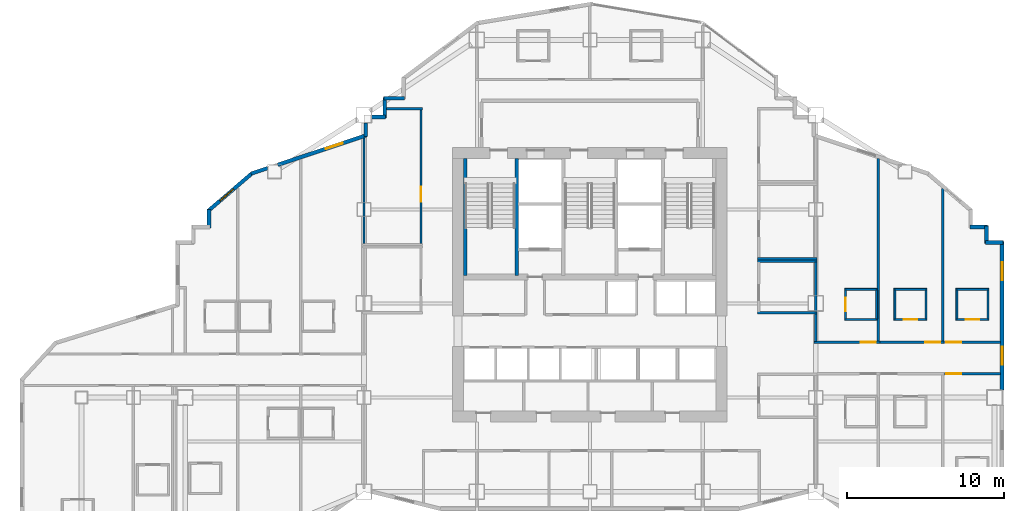
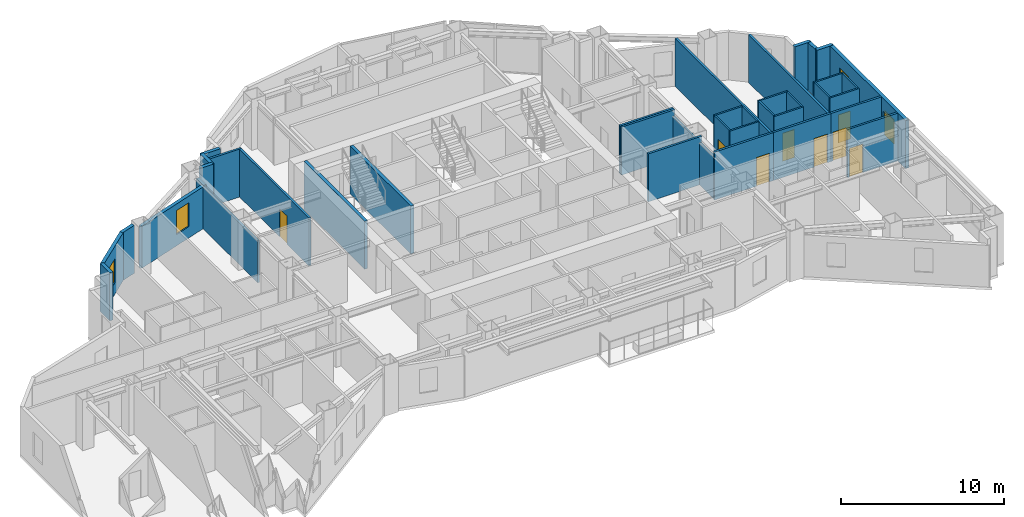
# One storey, part 9 of 13: 40 walls, 8 doors, 4 windows, 12 openings.
"""IFC4 building model written with IfcOpenShell, lengths in metres."""

from ifc_helpers import new_model, si_unit, direction, frame, frame_2d, origin, place, context, subcontext, project, spatial, rectangle, extrude, material, layer, layer_set, type_object, element, fill, save


model = new_model("IFC4")

# Units and contexts
model_context = context("Model", 3, precision=1e-05, world=origin(), true_north=direction((0.0, 1.0)))
body_context = subcontext(model_context, "Body", "Model", "MODEL_VIEW")
ifc_project = project(units=[si_unit("LENGTHUNIT", "METRE"), si_unit("AREAUNIT", "SQUARE_METRE"), si_unit("VOLUMEUNIT", "CUBIC_METRE"), si_unit("PLANEANGLEUNIT", "RADIAN"), si_unit("MASSUNIT", "GRAM", prefix="KILO")], contexts=[model_context])

# Site, building, storey
site_placement = place(None, origin())
site = spatial("IfcSite", under=ifc_project, at=site_placement, CompositionType="ELEMENT")
building_placement = place(site_placement, origin())
building = spatial("IfcBuilding", under=site, at=building_placement, Name="Haolan Belvedere Tower", CompositionType="ELEMENT")
storey_placement = place(building_placement, frame((0.0, 0.0, 117.39990234375)))
storey = spatial("IfcBuildingStorey", under=building, at=storey_placement, Name="L29", CompositionType="ELEMENT", Elevation=117.39990234375)

# Wall, openings, windows
ifc_material_1 = material(Name="Precast concrete C40/50", Category="concrete")
ifc_layer_1 = layer(ifc_material_1, 0.239990234375, Name="Precast concrete C40/50")
ifc_layer_set_1 = layer_set([ifc_layer_1], Name="Precast concrete C40/50")
wall_type_1 = type_object("IfcWallType", Name="WL-EXT-240", PredefinedType="SOLIDWALL", material=ifc_layer_set_1)
wall_1_placement = place(storey_placement, frame((64.679931640625, 28.092041015625, 0.0), z_axis=(0.0, 0.0, 1.0), x_axis=(0.0, 1.0, 0.0)))
wall_1 = element("IfcWall", 1, at=wall_1_placement, inside=storey, type_object=wall_type_1, Name="L29 pale-metal exterior spandrel wall 14.2", PredefinedType="SOLIDWALL", context=body_context, shape_type="SweptSolid", body=[
    extrude(rectangle(XDim=9.44287109375, YDim=0.239990234375, at=frame_2d((4.721435546875, 0.0))), origin(), (0.0, 0.0, 1.0), 3.60009765625),
])
opening_1_placement = place(wall_1_placement, frame((1.60009765625, 0.0, 0.85009765625)))
opening_1 = element("IfcOpeningElement", 2, at=opening_1_placement, cuts=wall_1, Name="Opening W-02", PredefinedType="OPENING", context=body_context, shape_type="SweptSolid", body=[
    extrude(rectangle(XDim=1.14990234375, YDim=1.800048828125, at=frame_2d((0.574951171875, 0.89990234375))), frame((0.0, 0.1298828125, 0.0), z_axis=(0.0, -1.0, 0.0), x_axis=(1.0, 0.0, 0.0)), (0.0, 0.0, 1.0), 0.260009765625),
])
opening_2_placement = place(wall_1_placement, frame((7.0, 0.0, 0.85009765625)))
opening_2 = element("IfcOpeningElement", 3, at=opening_2_placement, cuts=wall_1, Name="Opening W-02", PredefinedType="OPENING", context=body_context, shape_type="SweptSolid", body=[
    extrude(rectangle(XDim=1.14990234375, YDim=1.800048828125, at=frame_2d((0.574951171875, 0.89990234375))), frame((0.0, 0.1298828125, 0.0), z_axis=(0.0, -1.0, 0.0), x_axis=(1.0, 0.0, 0.0)), (0.0, 0.0, 1.0), 0.260009765625),
])
ifc_material_2 = material(Name="Anodised aluminium 6063-T6 and Low-E glass", Category="aluminium")
window_type = type_object("IfcWindowType", Name="WN-DECO-Z2", PartitioningType="SINGLE_PANEL", PredefinedType="WINDOW", material=ifc_material_2)
window_1_placement = place(opening_1_placement, origin())
window_1 = element("IfcWindow", 4, at=window_1_placement, inside=storey, type_object=window_type, Name="L29 Art Deco chevron window 1", OverallHeight=1.800048828125, OverallWidth=1.14990234375, PartitioningType="SINGLE_PANEL", PredefinedType="WINDOW", context=body_context, shape_type="SweptSolid", body=[
    extrude(rectangle(XDim=1.14990234375, YDim=1.800048828125, at=frame_2d((0.574951171875, 0.89990234375))), frame((0.0, 0.030029296875, 0.0), z_axis=(0.0, -1.0, 0.0), x_axis=(1.0, 0.0, 0.0)), (0.0, 0.0, 1.0), 0.06005859375),
])
fill(opening_1, window_1)
window_2_placement = place(opening_2_placement, origin())
window_2 = element("IfcWindow", 5, at=window_2_placement, inside=storey, type_object=window_type, Name="L29 Art Deco chevron window 2", OverallHeight=1.800048828125, OverallWidth=1.14990234375, PartitioningType="SINGLE_PANEL", PredefinedType="WINDOW", context=body_context, shape_type="SweptSolid", body=[
    extrude(rectangle(XDim=1.14990234375, YDim=1.800048828125, at=frame_2d((0.574951171875, 0.89990234375))), frame((0.0, 0.030029296875, 0.0), z_axis=(0.0, -1.0, 0.0), x_axis=(1.0, 0.0, 0.0)), (0.0, 0.0, 1.0), 0.06005859375),
])
fill(opening_2, window_2)

# Walls
wall_2_placement = place(storey_placement, frame((64.735107421875, 37.47998046875, 0.0), z_axis=(0.0, 0.0, 1.0), x_axis=(-1.0, 0.0, 0.0)))
element("IfcWall", 6, at=wall_2_placement, inside=storey, type_object=wall_type_1, Name="L29 pale-metal exterior spandrel wall 15.1", PredefinedType="SOLIDWALL", context=body_context, shape_type="SweptSolid", body=[
    extrude(rectangle(XDim=1.110107421875, YDim=0.239990234375, at=frame_2d((0.55517578125, 0.0))), origin(), (0.0, 0.0, 1.0), 3.60009765625),
])
wall_3_placement = place(storey_placement, frame((63.679931640625, 37.425048828125, 0.0), z_axis=(0.0, 0.0, 1.0), x_axis=(0.0, 1.0, 0.0)))
element("IfcWall", 7, at=wall_3_placement, inside=storey, type_object=wall_type_1, Name="L29 pale-metal exterior spandrel wall 16.1", PredefinedType="SOLIDWALL", context=body_context, shape_type="SweptSolid", body=[
    extrude(rectangle(XDim=1.10986328125, YDim=0.239990234375, at=frame_2d((0.554931640625, 0.0))), origin(), (0.0, 0.0, 1.0), 3.60009765625),
])
wall_4_placement = place(storey_placement, frame((63.735107421875, 38.47998046875, 0.0), z_axis=(0.0, 0.0, 1.0), x_axis=(-1.0, 0.0, 0.0)))
element("IfcWall", 8, at=wall_4_placement, inside=storey, type_object=wall_type_1, Name="L29 pale-metal exterior spandrel wall 17.1", PredefinedType="SOLIDWALL", context=body_context, shape_type="SweptSolid", body=[
    extrude(rectangle(XDim=1.110107421875, YDim=0.239990234375, at=frame_2d((0.55517578125, 0.0))), origin(), (0.0, 0.0, 1.0), 3.60009765625),
])
for number, where, z_axis, x_axis, name in (
    (9, (26.574951171875, 46.679931640625, 0.0), (0.0, 0.0, 1.0), (-1.0, 0.0, 0.0), "L29 pale-metal exterior spandrel wall 31.1"),
    (10, (25.320068359375, 46.735107421875, 0.0), (0.0, 0.0, 1.0), (0.0, -1.0, 0.0), "L29 pale-metal exterior spandrel wall 32.1"),
):
    element("IfcWall", number, at=place(storey_placement, frame(where, z_axis=z_axis, x_axis=x_axis)), inside=storey, type_object=wall_type_1, Name=name, PredefinedType="SOLIDWALL", context=body_context, shape_type="SweptSolid", body=[
        extrude(rectangle(XDim=1.31005859375, YDim=0.239990234375, at=frame_2d((0.655029296875, 0.0))), origin(), (0.0, 0.0, 1.0), 3.60009765625),
    ])
wall_5_placement = place(storey_placement, frame((25.375, 45.47998046875, 0.0), z_axis=(0.0, 0.0, 1.0), x_axis=(-1.0, 0.0, 0.0)))
element("IfcWall", 11, at=wall_5_placement, inside=storey, type_object=wall_type_1, Name="L29 pale-metal exterior spandrel wall 33.1", PredefinedType="SOLIDWALL", context=body_context, shape_type="SweptSolid", body=[
    extrude(rectangle(XDim=0.883056640625, YDim=0.239990234375, at=frame_2d((0.44140625, 0.0))), origin(), (0.0, 0.0, 1.0), 3.60009765625),
])
wall_6_placement = place(storey_placement, frame((24.1201171875, 45.10791015625, 0.0), z_axis=(0.0, 0.0, 1.0), x_axis=(0.0, -1.0, 0.0)))
element("IfcWall", 12, at=wall_6_placement, inside=storey, type_object=wall_type_1, Name="L29 pale-metal exterior spandrel wall 34.1", PredefinedType="SOLIDWALL", context=body_context, shape_type="SweptSolid", body=[
    extrude(rectangle(XDim=0.849365234375, YDim=0.239990234375, at=frame_2d((0.4248046875, 0.0))), origin(), (0.0, 0.0, 1.0), 3.14501953125),
])

# Wall, opening, window
wall_7_placement = place(storey_placement, frame((24.172119140625, 44.330810546875, 0.0), z_axis=(0.0, 0.0, 1.0), x_axis=(-0.948683298051, -0.316227766017, 0.0)))
wall_7 = element("IfcWall", 13, at=wall_7_placement, inside=storey, type_object=wall_type_1, Name="L29 pale-metal exterior spandrel wall 35.1", PredefinedType="SOLIDWALL", context=body_context, shape_type="SweptSolid", body=[
    extrude(rectangle(XDim=5.973388671875, YDim=0.239990234375, at=frame_2d((2.98681640625, 0.0))), origin(), (0.0, 0.0, 1.0), 3.14501953125),
])
opening_3_placement = place(wall_7_placement, frame((1.60009765625, 0.0, 0.85009765625)))
opening_3 = element("IfcOpeningElement", 14, at=opening_3_placement, cuts=wall_7, Name="Opening W-02", PredefinedType="OPENING", context=body_context, shape_type="SweptSolid", body=[
    extrude(rectangle(XDim=1.14990234375, YDim=1.800048828125, at=frame_2d((0.574951171875, 0.89990234375))), frame((0.0, 0.1298828125, 0.0), z_axis=(0.0, -1.0, 0.0), x_axis=(1.0, 0.0, 0.0)), (0.0, 0.0, 1.0), 0.260009765625),
])
window_3_placement = place(opening_3_placement, origin())
window_3 = element("IfcWindow", 15, at=window_3_placement, inside=storey, type_object=window_type, Name="L29 Art Deco chevron window 1", OverallHeight=1.800048828125, OverallWidth=1.14990234375, PartitioningType="SINGLE_PANEL", PredefinedType="WINDOW", context=body_context, shape_type="SweptSolid", body=[
    extrude(rectangle(XDim=1.14990234375, YDim=1.800048828125, at=frame_2d((0.574951171875, 0.89990234375))), frame((0.0, 0.030029296875, 0.0), z_axis=(0.0, -1.0, 0.0), x_axis=(1.0, 0.0, 0.0)), (0.0, 0.0, 1.0), 0.06005859375),
])
fill(opening_3, window_3)

# Wall
wall_8_placement = place(storey_placement, frame((17.85791015625, 42.226318359375, 0.0), z_axis=(0.0, 0.0, 1.0), x_axis=(-0.948639166064, -0.316360131194, 0.0)))
element("IfcWall", 16, at=wall_8_placement, inside=storey, type_object=wall_type_1, Name="L29 pale-metal exterior spandrel wall 35.2", PredefinedType="SOLIDWALL", context=body_context, shape_type="SweptSolid", body=[
    extrude(rectangle(XDim=1.106689453125, YDim=0.239990234375, at=frame_2d((0.55322265625, 0.0))), origin(), (0.0, 0.0, 1.0), 3.60009765625),
])

# Wall, opening, window
wall_9_placement = place(storey_placement, frame((16.902099609375, 41.929443359375, 0.0), z_axis=(0.0, 0.0, 1.0), x_axis=(-0.759275136126, -0.650769750112, 0.0)))
wall_9 = element("IfcWall", 17, at=wall_9_placement, inside=storey, type_object=wall_type_1, Name="L29 pale-metal exterior spandrel wall 36.1", PredefinedType="SOLIDWALL", context=body_context, shape_type="SweptSolid", body=[
    extrude(rectangle(XDim=3.71923828125, YDim=0.239990234375, at=frame_2d((1.859619140625, 0.0))), origin(), (0.0, 0.0, 1.0), 3.60009765625),
])
opening_4_placement = place(wall_9_placement, frame((1.60009765625, 0.0, 0.85009765625)))
opening_4 = element("IfcOpeningElement", 18, at=opening_4_placement, cuts=wall_9, Name="Opening W-02", PredefinedType="OPENING", context=body_context, shape_type="SweptSolid", body=[
    extrude(rectangle(XDim=1.14990234375, YDim=1.800048828125, at=frame_2d((0.574951171875, 0.89990234375))), frame((0.0, 0.1298828125, 0.0), z_axis=(0.0, -1.0, 0.0), x_axis=(1.0, 0.0, 0.0)), (0.0, 0.0, 1.0), 0.260009765625),
])
window_4_placement = place(opening_4_placement, origin())
window_4 = element("IfcWindow", 19, at=window_4_placement, inside=storey, type_object=window_type, Name="L29 Art Deco chevron window 1", OverallHeight=1.800048828125, OverallWidth=1.14990234375, PartitioningType="SINGLE_PANEL", PredefinedType="WINDOW", context=body_context, shape_type="SweptSolid", body=[
    extrude(rectangle(XDim=1.14990234375, YDim=1.800048828125, at=frame_2d((0.574951171875, 0.89990234375))), frame((0.0, 0.030029296875, 0.0), z_axis=(0.0, -1.0, 0.0), x_axis=(1.0, 0.0, 0.0)), (0.0, 0.0, 1.0), 0.06005859375),
])
fill(opening_4, window_4)

# Walls
wall_10_placement = place(storey_placement, frame((14.1201171875, 39.599853515625, 0.0), z_axis=(0.0, 0.0, 1.0), x_axis=(0.0, -1.0, 0.0)))
element("IfcWall", 20, at=wall_10_placement, inside=storey, type_object=wall_type_1, Name="L29 pale-metal exterior spandrel wall 37.1", PredefinedType="SOLIDWALL", context=body_context, shape_type="SweptSolid", body=[
    extrude(rectangle(XDim=1.1748046875, YDim=0.239990234375, at=frame_2d((0.58740234375, 0.0))), origin(), (0.0, 0.0, 1.0), 3.60009765625),
])
ifc_material_3 = material(Name="Double gypsum acoustic stud partition", Category="masonry")
ifc_layer_2 = layer(ifc_material_3, 0.14990234375, Name="Double gypsum acoustic stud partition")
ifc_layer_set_2 = layer_set([ifc_layer_2], Name="Double gypsum acoustic stud partition")
wall_type_2 = type_object("IfcWallType", Name="WL-PART-150", PredefinedType="PARTITIONING", material=ifc_layer_set_2)
wall_11_placement = place(storey_placement, frame((25.425048828125, 46.02001953125, 0.0), z_axis=(0.0, 0.0, 1.0), x_axis=(1.0, 0.0, 0.0)))
element("IfcWall", 21, at=wall_11_placement, inside=storey, type_object=wall_type_2, Name="L29 interior partition IW-L29-MTG-N", PredefinedType="PARTITIONING", context=body_context, shape_type="SweptSolid", body=[
    extrude(rectangle(XDim=2.294921875, YDim=0.14990234375, at=frame_2d((1.1474609375, 0.0))), origin(), (0.0, 0.0, 1.0), 3.60009765625),
])
wall_12_placement = place(storey_placement, frame((24.0, 37.419921875, 0.0), z_axis=(0.0, 0.0, 1.0), x_axis=(0.0, 1.0, 0.0)))
element("IfcWall", 22, at=wall_12_placement, inside=storey, type_object=wall_type_2, Name="L29 interior partition IW-L29-MTG-W", PredefinedType="PARTITIONING", context=body_context, shape_type="SweptSolid", body=[
    extrude(rectangle(XDim=6.742919921875, YDim=0.14990234375, at=frame_2d((3.37158203125, 0.0))), origin(), (0.0, 0.0, 1.0), 3.14501953125),
])

# Wall, opening, door
wall_13_placement = place(storey_placement, frame((27.639892578125, 37.419921875, 0.0), z_axis=(0.0, 0.0, 1.0), x_axis=(0.0, 1.0, 0.0)))
wall_13 = element("IfcWall", 23, at=wall_13_placement, inside=storey, type_object=wall_type_2, Name="L29 interior partition IW-L29-MTG-E", PredefinedType="PARTITIONING", context=body_context, shape_type="SweptSolid", body=[
    extrude(rectangle(XDim=8.5400390625, YDim=0.14990234375, at=frame_2d((4.27001953125, 0.0))), origin(), (0.0, 0.0, 1.0), 3.60009765625),
])
opening_5_placement = place(wall_13_placement, frame((3.60986328125, 0.0, 0.0), z_axis=(0.0, 0.0, 1.0), x_axis=(-1.0, 0.0, 0.0)))
opening_5 = element("IfcOpeningElement", 24, at=opening_5_placement, cuts=wall_13, Name="Opening ID-03", PredefinedType="OPENING", context=body_context, shape_type="SweptSolid", body=[
    extrude(rectangle(XDim=0.949951171875, YDim=2.1201171875, at=frame_2d((0.47509765625, 1.06005859375))), frame((0.0, 0.0849609375, 0.0), z_axis=(0.0, -1.0, 0.0), x_axis=(1.0, 0.0, 0.0)), (0.0, 0.0, 1.0), 0.169921875),
])
ifc_material_4 = material(Name="Painted solid-core timber", Category="wood")
door_type_1 = type_object("IfcDoorType", Name="DR-INT-950", OperationType="NOTDEFINED", PredefinedType="DOOR", material=ifc_material_4)
door_1_placement = place(opening_5_placement, origin())
door_1 = element("IfcDoor", 25, at=door_1_placement, inside=storey, type_object=door_type_1, Name="L29 door ID-L29-MTG", OperationType="SINGLE_SWING_RIGHT", OverallHeight=2.1201171875, OverallWidth=0.949951171875, PredefinedType="DOOR", context=body_context, shape_type="SweptSolid", body=[
    extrude(rectangle(XDim=0.949951171875, YDim=2.1201171875, at=frame_2d((0.47509765625, 1.06005859375))), frame((0.0, 0.02490234375, 0.0), z_axis=(0.0, -1.0, 0.0), x_axis=(1.0, 0.0, 0.0)), (0.0, 0.0, 1.0), 0.050048828125),
])
fill(opening_5, door_1)

# Walls
for number, where, z_axis, x_axis, name in (
    (26, (49.080078125, 36.300048828125, 0.0), (0.0, 0.0, 1.0), (1.0, 0.0, 0.0), "L29 interior partition IW-L29-AWC-N"),
    (27, (49.080078125, 33.0, 0.0), (0.0, 0.0, 1.0), (1.0, 0.0, 0.0), "L29 interior partition IW-L29-AWC-S"),
):
    element("IfcWall", number, at=place(storey_placement, frame(where, z_axis=z_axis, x_axis=x_axis)), inside=storey, type_object=wall_type_2, Name=name, PredefinedType="PARTITIONING", context=body_context, shape_type="SweptSolid", body=[
        extrude(rectangle(XDim=3.7998046875, YDim=0.14990234375, at=frame_2d((1.89990234375, 0.0))), origin(), (0.0, 0.0, 1.0), 3.60009765625),
    ])
wall_14_placement = place(storey_placement, frame((52.800048828125, 33.06005859375, 0.0), z_axis=(0.0, 0.0, 1.0), x_axis=(0.0, 1.0, 0.0)))
element("IfcWall", 28, at=wall_14_placement, inside=storey, type_object=wall_type_2, Name="L29 interior partition IW-L29-AWC-E", PredefinedType="PARTITIONING", context=body_context, shape_type="SweptSolid", body=[
    extrude(rectangle(XDim=3.179931640625, YDim=0.14990234375, at=frame_2d((1.58984375, 0.0))), origin(), (0.0, 0.0, 1.0), 3.14501953125),
])
wall_15_placement = place(storey_placement, frame((49.080078125, 36.4599609375, 0.0), z_axis=(0.0, 0.0, 1.0), x_axis=(1.0, 0.0, 0.0)))
element("IfcWall", 29, at=wall_15_placement, inside=storey, type_object=wall_type_2, Name="L29 interior partition IW-L29-STY-S", PredefinedType="PARTITIONING", context=body_context, shape_type="SweptSolid", body=[
    extrude(rectangle(XDim=3.7998046875, YDim=0.14990234375, at=frame_2d((1.89990234375, 0.0))), origin(), (0.0, 0.0, 1.0), 3.60009765625),
])

# Wall, opening, door
wall_16_placement = place(storey_placement, frame((52.699951171875, 31.1298828125, 0.0), z_axis=(0.0, 0.0, 1.0), x_axis=(1.0, 0.0, 0.0)))
wall_16 = element("IfcWall", 30, at=wall_16_placement, inside=storey, type_object=wall_type_2, Name="L29 interior partition IW-L29-T4N1-S", PredefinedType="PARTITIONING", context=body_context, shape_type="SweptSolid", body=[
    extrude(rectangle(XDim=4.179931640625, YDim=0.14990234375, at=frame_2d((2.08984375, 0.0))), origin(), (0.0, 0.0, 1.0), 3.60009765625),
])
opening_6_placement = place(wall_16_placement, frame((2.966064453125, 0.0, 0.0)))
opening_6 = element("IfcOpeningElement", 31, at=opening_6_placement, cuts=wall_16, Name="Opening ID-02", PredefinedType="OPENING", context=body_context, shape_type="SweptSolid", body=[
    extrude(rectangle(XDim=0.949951171875, YDim=2.14990234375, at=frame_2d((0.47509765625, 1.074951171875))), frame((0.0, 0.0849609375, 0.0), z_axis=(0.0, -1.0, 0.0), x_axis=(1.0, 0.0, 0.0)), (0.0, 0.0, 1.0), 0.169921875),
])
ifc_material_5 = material(Name="Acoustic oak veneer fire-rated timber", Category="wood")
door_type_2 = type_object("IfcDoorType", Name="DR-GUEST-950", OperationType="NOTDEFINED", PredefinedType="DOOR", material=ifc_material_5)
door_2_placement = place(opening_6_placement, origin())
door_2 = element("IfcDoor", 32, at=door_2_placement, inside=storey, type_object=door_type_2, Name="L29 door ID-L29-T4N1-ENT", OperationType="SINGLE_SWING_RIGHT", OverallHeight=2.14990234375, OverallWidth=0.949951171875, PredefinedType="DOOR", context=body_context, shape_type="SweptSolid", body=[
    extrude(rectangle(XDim=0.949951171875, YDim=2.14990234375, at=frame_2d((0.47509765625, 1.074951171875))), frame((0.0, 0.02490234375, 0.0), z_axis=(0.0, -1.0, 0.0), x_axis=(1.0, 0.0, 0.0)), (0.0, 0.0, 1.0), 0.050048828125),
])
fill(opening_6, door_2)

# Walls
wall_17_placement = place(storey_placement, frame((52.800048828125, 31.18994140625, 0.0), z_axis=(0.0, 0.0, 1.0), x_axis=(0.0, 1.0, 0.0)))
element("IfcWall", 33, at=wall_17_placement, inside=storey, type_object=wall_type_2, Name="L29 interior partition IW-L29-T4N1-W", PredefinedType="PARTITIONING", context=body_context, shape_type="SweptSolid", body=[
    extrude(rectangle(XDim=1.75, YDim=0.14990234375, at=frame_2d((0.875, 0.0))), origin(), (0.0, 0.0, 1.0), 3.14501953125),
])
wall_18_placement = place(storey_placement, frame((56.780029296875, 31.18994140625, 0.0), z_axis=(0.0, 0.0, 1.0), x_axis=(0.0, 1.0, 0.0)))
element("IfcWall", 34, at=wall_18_placement, inside=storey, type_object=wall_type_2, Name="L29 interior partition IW-L29-T4N1-E", PredefinedType="PARTITIONING", context=body_context, shape_type="SweptSolid", body=[
    extrude(rectangle(XDim=11.646240234375, YDim=0.14990234375, at=frame_2d((5.8232421875, 0.0))), origin(), (0.0, 0.0, 1.0), 3.60009765625),
])

# Wall, opening, door
wall_19_placement = place(storey_placement, frame((56.882080078125, 31.1298828125, 0.0), z_axis=(0.0, 0.0, 1.0), x_axis=(1.0, 0.0, 0.0)))
wall_19 = element("IfcWall", 35, at=wall_19_placement, inside=storey, type_object=wall_type_2, Name="L29 interior partition IW-L29-T4N2-S", PredefinedType="PARTITIONING", context=body_context, shape_type="SweptSolid", body=[
    extrude(rectangle(XDim=4.10791015625, YDim=0.14990234375, at=frame_2d((2.053955078125, 0.0))), origin(), (0.0, 0.0, 1.0), 3.60009765625),
])
opening_7_placement = place(wall_19_placement, frame((2.896484375, 0.0, 0.0)))
opening_7 = element("IfcOpeningElement", 36, at=opening_7_placement, cuts=wall_19, Name="Opening ID-02", PredefinedType="OPENING", context=body_context, shape_type="SweptSolid", body=[
    extrude(rectangle(XDim=0.949951171875, YDim=2.14990234375, at=frame_2d((0.47509765625, 1.074951171875))), frame((0.0, 0.0849609375, 0.0), z_axis=(0.0, -1.0, 0.0), x_axis=(1.0, 0.0, 0.0)), (0.0, 0.0, 1.0), 0.169921875),
])
door_3_placement = place(opening_7_placement, origin())
door_3 = element("IfcDoor", 37, at=door_3_placement, inside=storey, type_object=door_type_2, Name="L29 door ID-L29-T4N2-ENT", OperationType="SINGLE_SWING_LEFT", OverallHeight=2.14990234375, OverallWidth=0.949951171875, PredefinedType="DOOR", context=body_context, shape_type="SweptSolid", body=[
    extrude(rectangle(XDim=0.949951171875, YDim=2.14990234375, at=frame_2d((0.47509765625, 1.074951171875))), frame((0.0, 0.02490234375, 0.0), z_axis=(0.0, -1.0, 0.0), x_axis=(1.0, 0.0, 0.0)), (0.0, 0.0, 1.0), 0.050048828125),
])
fill(opening_7, door_3)

# Wall
wall_20_placement = place(storey_placement, frame((60.889892578125, 31.18994140625, 0.0), z_axis=(0.0, 0.0, 1.0), x_axis=(0.0, 1.0, 0.0)))
element("IfcWall", 38, at=wall_20_placement, inside=storey, type_object=wall_type_2, Name="L29 interior partition IW-L29-T4N2-E", PredefinedType="PARTITIONING", context=body_context, shape_type="SweptSolid", body=[
    extrude(rectangle(XDim=9.7509765625, YDim=0.14990234375, at=frame_2d((4.87548828125, 0.0))), origin(), (0.0, 0.0, 1.0), 3.60009765625),
])

# Wall, opening, door
wall_21_placement = place(storey_placement, frame((60.991943359375, 31.1298828125, 0.0), z_axis=(0.0, 0.0, 1.0), x_axis=(1.0, 0.0, 0.0)))
wall_21 = element("IfcWall", 39, at=wall_21_placement, inside=storey, type_object=wall_type_2, Name="L29 interior partition IW-L29-T4N3-S", PredefinedType="PARTITIONING", context=body_context, shape_type="SweptSolid", body=[
    extrude(rectangle(XDim=3.5830078125, YDim=0.14990234375, at=frame_2d((1.79150390625, 0.0))), origin(), (0.0, 0.0, 1.0), 3.60009765625),
])
opening_8_placement = place(wall_21_placement, frame((0.139892578125, 0.0, 0.0)))
opening_8 = element("IfcOpeningElement", 40, at=opening_8_placement, cuts=wall_21, Name="Opening ID-02", PredefinedType="OPENING", context=body_context, shape_type="SweptSolid", body=[
    extrude(rectangle(XDim=0.949951171875, YDim=2.14990234375, at=frame_2d((0.47509765625, 1.074951171875))), frame((0.0, 0.0849609375, 0.0), z_axis=(0.0, -1.0, 0.0), x_axis=(1.0, 0.0, 0.0)), (0.0, 0.0, 1.0), 0.169921875),
])
door_4_placement = place(opening_8_placement, origin())
door_4 = element("IfcDoor", 41, at=door_4_placement, inside=storey, type_object=door_type_2, Name="L29 door ID-L29-T4N3-ENT", OperationType="SINGLE_SWING_RIGHT", OverallHeight=2.14990234375, OverallWidth=0.949951171875, PredefinedType="DOOR", context=body_context, shape_type="SweptSolid", body=[
    extrude(rectangle(XDim=0.949951171875, YDim=2.14990234375, at=frame_2d((0.47509765625, 1.074951171875))), frame((0.0, 0.02490234375, 0.0), z_axis=(0.0, -1.0, 0.0), x_axis=(1.0, 0.0, 0.0)), (0.0, 0.0, 1.0), 0.050048828125),
])
fill(opening_8, door_4)

wall_22_placement = place(storey_placement, frame((60.991943359375, 29.1201171875, 0.0), z_axis=(0.0, 0.0, 1.0), x_axis=(1.0, 0.0, 0.0)))
wall_22 = element("IfcWall", 42, at=wall_22_placement, inside=storey, type_object=wall_type_2, Name="L29 interior partition IW-L29-T4S3-N", PredefinedType="PARTITIONING", context=body_context, shape_type="SweptSolid", body=[
    extrude(rectangle(XDim=3.5830078125, YDim=0.14990234375, at=frame_2d((1.79150390625, 0.0))), origin(), (0.0, 0.0, 1.0), 3.60009765625),
])
opening_9_placement = place(wall_22_placement, frame((1.08984375, 0.0, 0.0), z_axis=(0.0, 0.0, 1.0), x_axis=(-1.0, 0.0, 0.0)))
opening_9 = element("IfcOpeningElement", 43, at=opening_9_placement, cuts=wall_22, Name="Opening ID-02", PredefinedType="OPENING", context=body_context, shape_type="SweptSolid", body=[
    extrude(rectangle(XDim=0.949951171875, YDim=2.14990234375, at=frame_2d((0.47509765625, 1.074951171875))), frame((0.0, 0.0849609375, 0.0), z_axis=(0.0, -1.0, 0.0), x_axis=(1.0, 0.0, 0.0)), (0.0, 0.0, 1.0), 0.169921875),
])
door_5_placement = place(opening_9_placement, origin())
door_5 = element("IfcDoor", 44, at=door_5_placement, inside=storey, type_object=door_type_2, Name="L29 door ID-L29-T4S3-ENT", OperationType="SINGLE_SWING_LEFT", OverallHeight=2.14990234375, OverallWidth=0.949951171875, PredefinedType="DOOR", context=body_context, shape_type="SweptSolid", body=[
    extrude(rectangle(XDim=0.949951171875, YDim=2.14990234375, at=frame_2d((0.47509765625, 1.074951171875))), frame((0.0, 0.02490234375, 0.0), z_axis=(0.0, -1.0, 0.0), x_axis=(1.0, 0.0, 0.0)), (0.0, 0.0, 1.0), 0.050048828125),
])
fill(opening_9, door_5)

# Walls
ifc_material_6 = material(Name="Concrete C50/60", Category="concrete")
ifc_layer_3 = layer(ifc_material_6, 0.219970703125, Name="Concrete C50/60")
ifc_layer_set_3 = layer_set([ifc_layer_3], Name="Concrete C50/60")
wall_type_3 = type_object("IfcWallType", Name="WL-STAIR-220", PredefinedType="SHEAR", material=ifc_layer_set_3)
for number, where, z_axis, x_axis, name in (
    (45, (30.4619140625, 35.389892578125, 0.0), (0.0, 0.0, 1.0), (0.0, 1.0, 0.0), "L29 structural stair core wall ST1W"),
    (46, (33.739990234375, 35.389892578125, 0.0), (0.0, 0.0, 1.0), (0.0, 1.0, 0.0), "L29 structural stair core wall ST1E"),
):
    element("IfcWall", number, at=place(storey_placement, frame(where, z_axis=z_axis, x_axis=x_axis)), inside=storey, type_object=wall_type_3, Name=name, PredefinedType="SHEAR", context=body_context, shape_type="SweptSolid", body=[
        extrude(rectangle(XDim=7.460205078125, YDim=0.219970703125, at=frame_2d((3.72998046875, 0.0))), origin(), (0.0, 0.0, 1.0), 3.60009765625),
    ])
ifc_material_7 = material(Name="Moisture-resistant gypsum tile partition", Category="masonry")
ifc_layer_4 = layer(ifc_material_7, 0.1201171875, Name="Moisture-resistant gypsum tile partition")
ifc_layer_set_4 = layer_set([ifc_layer_4], Name="Moisture-resistant gypsum tile partition")
wall_type_4 = type_object("IfcWallType", Name="WL-WET-120", PredefinedType="PARTITIONING", material=ifc_layer_set_4)
for number, where, z_axis, x_axis, name in (
    (47, (54.639892578125, 34.5, 0.0), (0.0, 0.0, 1.0), (1.0, 0.0, 0.0), "L29 interior partition IW-L29-T4N1-BN"),
    (48, (54.639892578125, 32.580078125, 0.0), (0.0, 0.0, 1.0), (1.0, 0.0, 0.0), "L29 interior partition IW-L29-T4N1-BS"),
):
    element("IfcWall", number, at=place(storey_placement, frame(where, z_axis=z_axis, x_axis=x_axis)), inside=storey, type_object=wall_type_4, Name=name, PredefinedType="PARTITIONING", context=body_context, shape_type="SweptSolid", body=[
        extrude(rectangle(XDim=2.080078125, YDim=0.1201171875, at=frame_2d((1.0400390625, 0.0))), origin(), (0.0, 0.0, 1.0), 3.60009765625),
    ])

# Wall, opening, door
wall_23_placement = place(storey_placement, frame((54.699951171875, 32.625, 0.0), z_axis=(0.0, 0.0, 1.0), x_axis=(0.0, 1.0, 0.0)))
wall_23 = element("IfcWall", 49, at=wall_23_placement, inside=storey, type_object=wall_type_4, Name="L29 interior partition IW-L29-T4N1-BW", PredefinedType="PARTITIONING", context=body_context, shape_type="SweptSolid", body=[
    extrude(rectangle(XDim=1.830078125, YDim=0.1201171875, at=frame_2d((0.9150390625, 0.0))), origin(), (0.0, 0.0, 1.0), 3.60009765625),
])
opening_10_placement = place(wall_23_placement, frame((1.340087890625, 0.0, 0.0), z_axis=(0.0, 0.0, 1.0), x_axis=(-1.0, 0.0, 0.0)))
opening_10 = element("IfcOpeningElement", 50, at=opening_10_placement, cuts=wall_23, Name="Opening ID-05", PredefinedType="OPENING", context=body_context, shape_type="SweptSolid", body=[
    extrude(rectangle(XDim=0.85009765625, YDim=2.10009765625, at=frame_2d((0.425048828125, 1.050048828125))), frame((0.0, 0.070068359375, 0.0), z_axis=(0.0, -1.0, 0.0), x_axis=(1.0, 0.0, 0.0)), (0.0, 0.0, 1.0), 0.14013671875),
])
ifc_material_8 = material(Name="Moisture-resistant lacquered timber", Category="wood")
door_type_3 = type_object("IfcDoorType", Name="DR-BATH-850", OperationType="NOTDEFINED", PredefinedType="DOOR", material=ifc_material_8)
door_6_placement = place(opening_10_placement, origin())
door_6 = element("IfcDoor", 51, at=door_6_placement, inside=storey, type_object=door_type_3, Name="L29 door ID-L29-T4N1-BATH", OperationType="SINGLE_SWING_LEFT", OverallHeight=2.10009765625, OverallWidth=0.85009765625, PredefinedType="DOOR", context=body_context, shape_type="SweptSolid", body=[
    extrude(rectangle(XDim=0.85009765625, YDim=2.10009765625, at=frame_2d((0.425048828125, 1.050048828125))), frame((0.0, 0.02490234375, 0.0), z_axis=(0.0, -1.0, 0.0), x_axis=(1.0, 0.0, 0.0)), (0.0, 0.0, 1.0), 0.050048828125),
])
fill(opening_10, door_6)

# Walls
wall_24_placement = place(storey_placement, frame((56.679931640625, 32.625, 0.0), z_axis=(0.0, 0.0, 1.0), x_axis=(0.0, 1.0, 0.0)))
element("IfcWall", 52, at=wall_24_placement, inside=storey, type_object=wall_type_4, Name="L29 interior partition IW-L29-T4N1-BE", PredefinedType="PARTITIONING", context=body_context, shape_type="SweptSolid", body=[
    extrude(rectangle(XDim=1.830078125, YDim=0.1201171875, at=frame_2d((0.9150390625, 0.0))), origin(), (0.0, 0.0, 1.0), 3.60009765625),
])
wall_25_placement = place(storey_placement, frame((57.784912109375, 34.5, 0.0), z_axis=(0.0, 0.0, 1.0), x_axis=(1.0, 0.0, 0.0)))
element("IfcWall", 53, at=wall_25_placement, inside=storey, type_object=wall_type_4, Name="L29 interior partition IW-L29-T4N2-BN", PredefinedType="PARTITIONING", context=body_context, shape_type="SweptSolid", body=[
    extrude(rectangle(XDim=2.10009765625, YDim=0.1201171875, at=frame_2d((1.050048828125, 0.0))), origin(), (0.0, 0.0, 1.0), 3.60009765625),
])

# Wall, opening, door
wall_26_placement = place(storey_placement, frame((57.784912109375, 32.580078125, 0.0), z_axis=(0.0, 0.0, 1.0), x_axis=(1.0, 0.0, 0.0)))
wall_26 = element("IfcWall", 54, at=wall_26_placement, inside=storey, type_object=wall_type_4, Name="L29 interior partition IW-L29-T4N2-BS", PredefinedType="PARTITIONING", context=body_context, shape_type="SweptSolid", body=[
    extrude(rectangle(XDim=2.10009765625, YDim=0.1201171875, at=frame_2d((1.050048828125, 0.0))), origin(), (0.0, 0.0, 1.0), 3.60009765625),
])
opening_11_placement = place(wall_26_placement, frame((0.625, 0.0, 0.0)))
opening_11 = element("IfcOpeningElement", 55, at=opening_11_placement, cuts=wall_26, Name="Opening ID-05", PredefinedType="OPENING", context=body_context, shape_type="SweptSolid", body=[
    extrude(rectangle(XDim=0.85009765625, YDim=2.10009765625, at=frame_2d((0.425048828125, 1.050048828125))), frame((0.0, 0.070068359375, 0.0), z_axis=(0.0, -1.0, 0.0), x_axis=(1.0, 0.0, 0.0)), (0.0, 0.0, 1.0), 0.14013671875),
])
door_7_placement = place(opening_11_placement, origin())
door_7 = element("IfcDoor", 56, at=door_7_placement, inside=storey, type_object=door_type_3, Name="L29 door ID-L29-T4N2-BATH", OperationType="SINGLE_SWING_RIGHT", OverallHeight=2.10009765625, OverallWidth=0.85009765625, PredefinedType="DOOR", context=body_context, shape_type="SweptSolid", body=[
    extrude(rectangle(XDim=0.85009765625, YDim=2.10009765625, at=frame_2d((0.425048828125, 1.050048828125))), frame((0.0, 0.02490234375, 0.0), z_axis=(0.0, -1.0, 0.0), x_axis=(1.0, 0.0, 0.0)), (0.0, 0.0, 1.0), 0.050048828125),
])
fill(opening_11, door_7)

# Walls
for number, where, z_axis, x_axis, name in (
    (57, (57.844970703125, 32.625, 0.0), (0.0, 0.0, 1.0), (0.0, 1.0, 0.0), "L29 interior partition IW-L29-T4N2-BW"),
    (58, (59.824951171875, 32.625, 0.0), (0.0, 0.0, 1.0), (0.0, 1.0, 0.0), "L29 interior partition IW-L29-T4N2-BE"),
):
    element("IfcWall", number, at=place(storey_placement, frame(where, z_axis=z_axis, x_axis=x_axis)), inside=storey, type_object=wall_type_4, Name=name, PredefinedType="PARTITIONING", context=body_context, shape_type="SweptSolid", body=[
        extrude(rectangle(XDim=1.830078125, YDim=0.1201171875, at=frame_2d((0.9150390625, 0.0))), origin(), (0.0, 0.0, 1.0), 3.60009765625),
    ])
wall_27_placement = place(storey_placement, frame((61.737060546875, 34.5, 0.0), z_axis=(0.0, 0.0, 1.0), x_axis=(1.0, 0.0, 0.0)))
element("IfcWall", 59, at=wall_27_placement, inside=storey, type_object=wall_type_4, Name="L29 interior partition IW-L29-T4N3-BN", PredefinedType="PARTITIONING", context=body_context, shape_type="SweptSolid", body=[
    extrude(rectangle(XDim=2.099853515625, YDim=0.1201171875, at=frame_2d((1.0498046875, 0.0))), origin(), (0.0, 0.0, 1.0), 3.60009765625),
])

# Wall, opening, door
wall_28_placement = place(storey_placement, frame((61.737060546875, 32.580078125, 0.0), z_axis=(0.0, 0.0, 1.0), x_axis=(1.0, 0.0, 0.0)))
wall_28 = element("IfcWall", 60, at=wall_28_placement, inside=storey, type_object=wall_type_4, Name="L29 interior partition IW-L29-T4N3-BS", PredefinedType="PARTITIONING", context=body_context, shape_type="SweptSolid", body=[
    extrude(rectangle(XDim=2.099853515625, YDim=0.1201171875, at=frame_2d((1.0498046875, 0.0))), origin(), (0.0, 0.0, 1.0), 3.60009765625),
])
opening_12_placement = place(wall_28_placement, frame((0.625, 0.0, 0.0)))
opening_12 = element("IfcOpeningElement", 61, at=opening_12_placement, cuts=wall_28, Name="Opening ID-05", PredefinedType="OPENING", context=body_context, shape_type="SweptSolid", body=[
    extrude(rectangle(XDim=0.85009765625, YDim=2.10009765625, at=frame_2d((0.425048828125, 1.050048828125))), frame((0.0, 0.070068359375, 0.0), z_axis=(0.0, -1.0, 0.0), x_axis=(1.0, 0.0, 0.0)), (0.0, 0.0, 1.0), 0.14013671875),
])
door_8_placement = place(opening_12_placement, origin())
door_8 = element("IfcDoor", 62, at=door_8_placement, inside=storey, type_object=door_type_3, Name="L29 door ID-L29-T4N3-BATH", OperationType="SINGLE_SWING_LEFT", OverallHeight=2.10009765625, OverallWidth=0.85009765625, PredefinedType="DOOR", context=body_context, shape_type="SweptSolid", body=[
    extrude(rectangle(XDim=0.85009765625, YDim=2.10009765625, at=frame_2d((0.425048828125, 1.050048828125))), frame((0.0, 0.02490234375, 0.0), z_axis=(0.0, -1.0, 0.0), x_axis=(1.0, 0.0, 0.0)), (0.0, 0.0, 1.0), 0.050048828125),
])
fill(opening_12, door_8)

# Walls
for number, where, z_axis, x_axis, name in (
    (63, (61.797119140625, 32.625, 0.0), (0.0, 0.0, 1.0), (0.0, 1.0, 0.0), "L29 interior partition IW-L29-T4N3-BW"),
    (64, (63.777099609375, 32.625, 0.0), (0.0, 0.0, 1.0), (0.0, 1.0, 0.0), "L29 interior partition IW-L29-T4N3-BE"),
):
    element("IfcWall", number, at=place(storey_placement, frame(where, z_axis=z_axis, x_axis=x_axis)), inside=storey, type_object=wall_type_4, Name=name, PredefinedType="PARTITIONING", context=body_context, shape_type="SweptSolid", body=[
        extrude(rectangle(XDim=1.830078125, YDim=0.1201171875, at=frame_2d((0.9150390625, 0.0))), origin(), (0.0, 0.0, 1.0), 3.60009765625),
    ])

save(model, "model.ifc")
